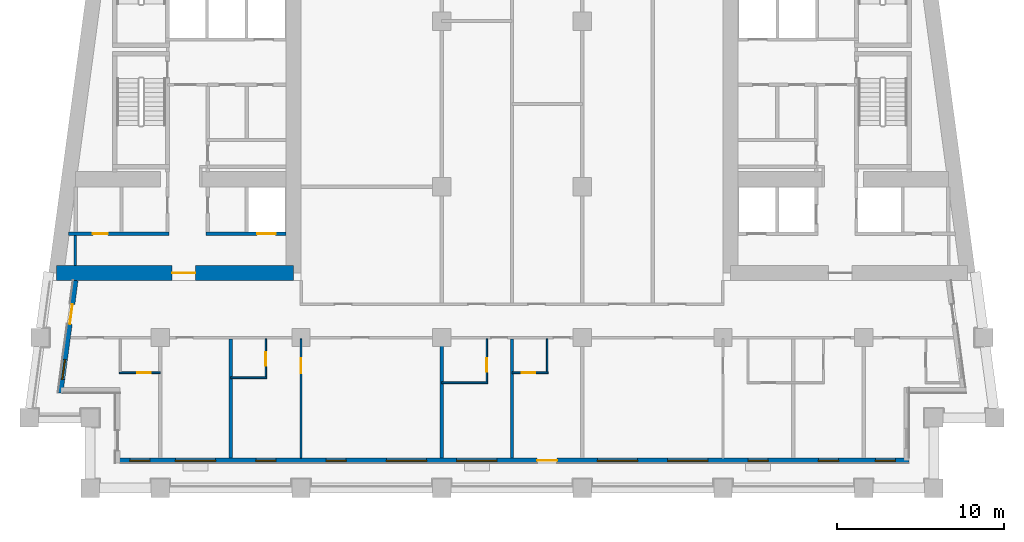
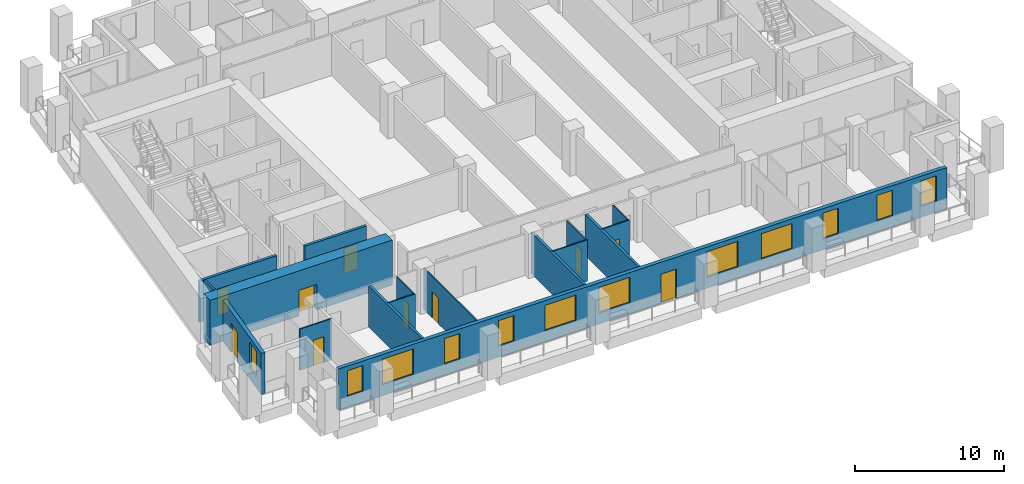
# One storey, part 2 of 12: 17 walls, 12 windows, 10 doors, 22 openings.
"""IFC4 building model written with IfcOpenShell, lengths in metres."""

from ifc_helpers import new_model, si_unit, direction, frame, frame_2d, origin, place, context, subcontext, project, spatial, rectangle, extrude, material, layer, layer_set, type_object, element, fill, save


model = new_model("IFC4")

# Units and contexts
model_context = context("Model", 3, precision=1e-05, world=origin(), true_north=direction((0.0, 1.0)))
body_context = subcontext(model_context, "Body", "Model", "MODEL_VIEW")
ifc_project = project(units=[si_unit("LENGTHUNIT", "METRE"), si_unit("AREAUNIT", "SQUARE_METRE"), si_unit("VOLUMEUNIT", "CUBIC_METRE"), si_unit("PLANEANGLEUNIT", "RADIAN"), si_unit("MASSUNIT", "GRAM", prefix="KILO")], contexts=[model_context])

# Site, building, storey
site_placement = place(None, origin())
site = spatial("IfcSite", under=ifc_project, at=site_placement, CompositionType="ELEMENT")
building_placement = place(site_placement, origin())
building = spatial("IfcBuilding", under=site, at=building_placement, Name="Candeia Pilgrim Tower and Theatre", CompositionType="ELEMENT")
storey_placement = place(building_placement, frame((0.0, 0.0, 162.60009765625)))
storey = spatial("IfcBuildingStorey", under=building, at=storey_placement, Name="L38", CompositionType="ELEMENT", Elevation=162.60009765625)

# Wall, opening, door
ifc_material_1 = material(Name="Concrete C60/75", Category="concrete")
ifc_layer_1 = layer(ifc_material_1, 0.89990234375)
ifc_layer_set_1 = layer_set([ifc_layer_1], Name="Core wall 900 C60/75")
wall_type_1 = type_object("IfcWallType", Name="Core wall 900 C60/75", PredefinedType="SHEAR", material=ifc_layer_set_1)
wall_1_placement = place(storey_placement, frame((100.35009765625, 110.85009765625, 0.0), z_axis=(0.0, 0.0, 1.0), x_axis=(-1.0, 0.0, 0.0)))
wall_1 = element("IfcWall", 1, at=wall_1_placement, inside=storey, type_object=wall_type_1, Name="Core wall W3", PredefinedType="SHEAR", context=body_context, shape_type="SweptSolid", body=[
    extrude(rectangle(XDim=14.166259765625, YDim=0.89990234375, at=frame_2d((7.0830078125, 0.0))), origin(), (0.0, 0.0, 1.0), 3.699951171875),
])
opening_1_placement = place(wall_1_placement, frame((5.854736328125, 0.0, 0.0)))
opening_1 = element("IfcOpeningElement", 2, at=opening_1_placement, cuts=wall_1, Name="Opening L38-D056", PredefinedType="OPENING", context=body_context, shape_type="SweptSolid", body=[
    extrude(rectangle(XDim=1.39990234375, YDim=2.10009765625, at=frame_2d((0.699951171875, 1.050048828125))), frame((0.0, 0.4599609375, 0.0), z_axis=(0.0, -1.0, 0.0), x_axis=(1.0, 0.0, 0.0)), (0.0, 0.0, 1.0), 0.919921875),
])
ifc_material_2 = material(Name="Steel fire door set", Category="steel")
door_type_1 = type_object("IfcDoorType", Name="D-1400-FD60", OperationType="NOTDEFINED", PredefinedType="DOOR", material=ifc_material_2)
door_1_placement = place(opening_1_placement, origin())
door_1 = element("IfcDoor", 3, at=door_1_placement, inside=storey, type_object=door_type_1, Name="Door L38-D056", OperationType="SINGLE_SWING_RIGHT", OverallHeight=2.10009765625, OverallWidth=1.39990234375, PredefinedType="DOOR", context=body_context, shape_type="SweptSolid", body=[
    extrude(rectangle(XDim=1.39990234375, YDim=2.10009765625, at=frame_2d((0.699951171875, 1.050048828125))), frame((0.0, 0.02490234375, 0.0), z_axis=(0.0, -1.0, 0.0), x_axis=(1.0, 0.0, 0.0)), (0.0, 0.0, 1.0), 0.050048828125),
])
fill(opening_1, door_1)

# Wall, openings, door, windows
ifc_material_3 = material(Name="Ceramic block masonry", Category="masonry")
ifc_layer_2 = layer(ifc_material_3, 0.300048828125)
ifc_layer_set_2 = layer_set([ifc_layer_2], Name="EW1 glazing-line wall 300")
wall_type_2 = type_object("IfcWallType", Name="EW1 glazing-line wall 300", PredefinedType="SOLIDWALL", material=ifc_layer_set_2)
wall_2_placement = place(storey_placement, frame((89.85009765625, 99.64990234375, 0.0), z_axis=(0.0, 0.0, 1.0), x_axis=(1.0, 0.0, 0.0)))
wall_2 = element("IfcWall", 4, at=wall_2_placement, inside=storey, type_object=wall_type_2, Name="External wall L38-0.0", PredefinedType="SOLIDWALL", context=body_context, shape_type="SweptSolid", body=[
    extrude(rectangle(XDim=47.25, YDim=0.300048828125, at=frame_2d((23.625, 0.0))), origin(), (0.0, 0.0, 1.0), 3.3798828125),
])
opening_2_placement = place(wall_2_placement, frame((0.72509765625, 0.0, 0.89990234375)))
opening_2 = element("IfcOpeningElement", 5, at=opening_2_placement, cuts=wall_2, Name="Opening W-B", PredefinedType="OPENING", context=body_context, shape_type="SweptSolid", body=[
    extrude(rectangle(XDim=1.199951171875, YDim=2.10009765625, at=frame_2d((0.60009765625, 1.050048828125))), frame((0.0, 0.16015625, 0.0), z_axis=(0.0, -1.0, 0.0), x_axis=(1.0, 0.0, 0.0)), (0.0, 0.0, 1.0), 0.320068359375),
])
opening_3_placement = place(wall_2_placement, frame((3.449951171875, 0.0, 0.89990234375)))
opening_3 = element("IfcOpeningElement", 6, at=opening_3_placement, cuts=wall_2, Name="Opening W-A", PredefinedType="OPENING", context=body_context, shape_type="SweptSolid", body=[
    extrude(rectangle(XDim=2.39990234375, YDim=2.10009765625, at=frame_2d((1.199951171875, 1.050048828125))), frame((0.0, 0.16015625, 0.0), z_axis=(0.0, -1.0, 0.0), x_axis=(1.0, 0.0, 0.0)), (0.0, 0.0, 1.0), 0.320068359375),
])
opening_4_placement = place(wall_2_placement, frame((8.25, 0.0, 0.89990234375)))
opening_4 = element("IfcOpeningElement", 7, at=opening_4_placement, cuts=wall_2, Name="Opening W-B", PredefinedType="OPENING", context=body_context, shape_type="SweptSolid", body=[
    extrude(rectangle(XDim=1.199951171875, YDim=2.10009765625, at=frame_2d((0.60009765625, 1.050048828125))), frame((0.0, 0.16015625, 0.0), z_axis=(0.0, -1.0, 0.0), x_axis=(1.0, 0.0, 0.0)), (0.0, 0.0, 1.0), 0.320068359375),
])
opening_5_placement = place(wall_2_placement, frame((12.449951171875, 0.0, 0.89990234375)))
opening_5 = element("IfcOpeningElement", 8, at=opening_5_placement, cuts=wall_2, Name="Opening W-B", PredefinedType="OPENING", context=body_context, shape_type="SweptSolid", body=[
    extrude(rectangle(XDim=1.199951171875, YDim=2.10009765625, at=frame_2d((0.60009765625, 1.050048828125))), frame((0.0, 0.16015625, 0.0), z_axis=(0.0, -1.0, 0.0), x_axis=(1.0, 0.0, 0.0)), (0.0, 0.0, 1.0), 0.320068359375),
])
opening_6_placement = place(wall_2_placement, frame((16.050048828125, 0.0, 0.89990234375)))
opening_6 = element("IfcOpeningElement", 9, at=opening_6_placement, cuts=wall_2, Name="Opening W-A", PredefinedType="OPENING", context=body_context, shape_type="SweptSolid", body=[
    extrude(rectangle(XDim=2.39990234375, YDim=2.10009765625, at=frame_2d((1.199951171875, 1.050048828125))), frame((0.0, 0.16015625, 0.0), z_axis=(0.0, -1.0, 0.0), x_axis=(1.0, 0.0, 0.0)), (0.0, 0.0, 1.0), 0.320068359375),
])
opening_7_placement = place(wall_2_placement, frame((20.25, 0.0, 0.89990234375)))
opening_7 = element("IfcOpeningElement", 10, at=opening_7_placement, cuts=wall_2, Name="Opening W-A", PredefinedType="OPENING", context=body_context, shape_type="SweptSolid", body=[
    extrude(rectangle(XDim=2.39990234375, YDim=2.10009765625, at=frame_2d((1.199951171875, 1.050048828125))), frame((0.0, 0.16015625, 0.0), z_axis=(0.0, -1.0, 0.0), x_axis=(1.0, 0.0, 0.0)), (0.0, 0.0, 1.0), 0.320068359375),
])
opening_8_placement = place(wall_2_placement, frame((25.050048828125, 0.0, 0.0)))
opening_8 = element("IfcOpeningElement", 11, at=opening_8_placement, cuts=wall_2, Name="Opening L38-ED364", PredefinedType="OPENING", context=body_context, shape_type="SweptSolid", body=[
    extrude(rectangle(XDim=1.199951171875, YDim=2.39990234375, at=frame_2d((0.60009765625, 1.199951171875))), frame((0.0, 0.16015625, 0.0), z_axis=(0.0, -1.0, 0.0), x_axis=(1.0, 0.0, 0.0)), (0.0, 0.0, 1.0), 0.320068359375),
])
opening_9_placement = place(wall_2_placement, frame((28.64990234375, 0.0, 0.89990234375)))
opening_9 = element("IfcOpeningElement", 12, at=opening_9_placement, cuts=wall_2, Name="Opening W-A", PredefinedType="OPENING", context=body_context, shape_type="SweptSolid", body=[
    extrude(rectangle(XDim=2.39990234375, YDim=2.10009765625, at=frame_2d((1.199951171875, 1.050048828125))), frame((0.0, 0.16015625, 0.0), z_axis=(0.0, -1.0, 0.0), x_axis=(1.0, 0.0, 0.0)), (0.0, 0.0, 1.0), 0.320068359375),
])
opening_10_placement = place(wall_2_placement, frame((32.85009765625, 0.0, 0.89990234375)))
opening_10 = element("IfcOpeningElement", 13, at=opening_10_placement, cuts=wall_2, Name="Opening W-A", PredefinedType="OPENING", context=body_context, shape_type="SweptSolid", body=[
    extrude(rectangle(XDim=2.39990234375, YDim=2.10009765625, at=frame_2d((1.199951171875, 1.050048828125))), frame((0.0, 0.16015625, 0.0), z_axis=(0.0, -1.0, 0.0), x_axis=(1.0, 0.0, 0.0)), (0.0, 0.0, 1.0), 0.320068359375),
])
opening_11_placement = place(wall_2_placement, frame((37.64990234375, 0.0, 0.89990234375)))
opening_11 = element("IfcOpeningElement", 14, at=opening_11_placement, cuts=wall_2, Name="Opening W-B", PredefinedType="OPENING", context=body_context, shape_type="SweptSolid", body=[
    extrude(rectangle(XDim=1.199951171875, YDim=2.10009765625, at=frame_2d((0.60009765625, 1.050048828125))), frame((0.0, 0.16015625, 0.0), z_axis=(0.0, -1.0, 0.0), x_axis=(1.0, 0.0, 0.0)), (0.0, 0.0, 1.0), 0.320068359375),
])
opening_12_placement = place(wall_2_placement, frame((41.85009765625, 0.0, 0.89990234375)))
opening_12 = element("IfcOpeningElement", 15, at=opening_12_placement, cuts=wall_2, Name="Opening W-B", PredefinedType="OPENING", context=body_context, shape_type="SweptSolid", body=[
    extrude(rectangle(XDim=1.199951171875, YDim=2.10009765625, at=frame_2d((0.60009765625, 1.050048828125))), frame((0.0, 0.16015625, 0.0), z_axis=(0.0, -1.0, 0.0), x_axis=(1.0, 0.0, 0.0)), (0.0, 0.0, 1.0), 0.320068359375),
])
opening_13_placement = place(wall_2_placement, frame((45.25, 0.0, 0.89990234375)))
opening_13 = element("IfcOpeningElement", 16, at=opening_13_placement, cuts=wall_2, Name="Opening W-B", PredefinedType="OPENING", context=body_context, shape_type="SweptSolid", body=[
    extrude(rectangle(XDim=1.199951171875, YDim=2.10009765625, at=frame_2d((0.60009765625, 1.050048828125))), frame((0.0, 0.16015625, 0.0), z_axis=(0.0, -1.0, 0.0), x_axis=(1.0, 0.0, 0.0)), (0.0, 0.0, 1.0), 0.320068359375),
])
ifc_material_4 = material(Name="Aluminium framed glazed door", Category="aluminium")
door_type_2 = type_object("IfcDoorType", Name="Loggia door 1200x2400", OperationType="DOUBLE_DOOR_SINGLE_SWING", PredefinedType="DOOR", material=ifc_material_4)
door_2_placement = place(opening_8_placement, origin())
door_2 = element("IfcDoor", 17, at=door_2_placement, inside=storey, type_object=door_type_2, Name="Loggia door L38-ED364", OperationType="DOUBLE_DOOR_SINGLE_SWING", OverallHeight=2.39990234375, OverallWidth=1.199951171875, PredefinedType="DOOR", context=body_context, shape_type="SweptSolid", body=[
    extrude(rectangle(XDim=1.199951171875, YDim=2.39990234375, at=frame_2d((0.60009765625, 1.199951171875))), frame((0.0, 0.02490234375, 0.0), z_axis=(0.0, -1.0, 0.0), x_axis=(1.0, 0.0, 0.0)), (0.0, 0.0, 1.0), 0.050048828125),
])
fill(opening_8, door_2)
ifc_material_5 = material(Name="Aluminium framed double glazing", Category="aluminium")
window_type_1 = type_object("IfcWindowType", Name="W-A window 2400x2100", PartitioningType="DOUBLE_PANEL_VERTICAL", PredefinedType="WINDOW", material=ifc_material_5)
window_1_placement = place(opening_3_placement, origin())
window_1 = element("IfcWindow", 18, at=window_1_placement, inside=storey, type_object=window_type_1, Name="Window W-A L38", OverallHeight=2.10009765625, OverallWidth=2.39990234375, PartitioningType="SINGLE_PANEL", PredefinedType="WINDOW", context=body_context, shape_type="SweptSolid", body=[
    extrude(rectangle(XDim=2.39990234375, YDim=2.10009765625, at=frame_2d((1.199951171875, 1.050048828125))), frame((0.0, 0.030029296875, 0.0), z_axis=(0.0, -1.0, 0.0), x_axis=(1.0, 0.0, 0.0)), (0.0, 0.0, 1.0), 0.06005859375),
])
fill(opening_3, window_1)
window_2_placement = place(opening_6_placement, origin())
window_2 = element("IfcWindow", 19, at=window_2_placement, inside=storey, type_object=window_type_1, Name="Window W-A L38", OverallHeight=2.10009765625, OverallWidth=2.39990234375, PartitioningType="SINGLE_PANEL", PredefinedType="WINDOW", context=body_context, shape_type="SweptSolid", body=[
    extrude(rectangle(XDim=2.39990234375, YDim=2.10009765625, at=frame_2d((1.199951171875, 1.050048828125))), frame((0.0, 0.030029296875, 0.0), z_axis=(0.0, -1.0, 0.0), x_axis=(1.0, 0.0, 0.0)), (0.0, 0.0, 1.0), 0.06005859375),
])
fill(opening_6, window_2)
window_3_placement = place(opening_7_placement, origin())
window_3 = element("IfcWindow", 20, at=window_3_placement, inside=storey, type_object=window_type_1, Name="Window W-A L38", OverallHeight=2.10009765625, OverallWidth=2.39990234375, PartitioningType="SINGLE_PANEL", PredefinedType="WINDOW", context=body_context, shape_type="SweptSolid", body=[
    extrude(rectangle(XDim=2.39990234375, YDim=2.10009765625, at=frame_2d((1.199951171875, 1.050048828125))), frame((0.0, 0.030029296875, 0.0), z_axis=(0.0, -1.0, 0.0), x_axis=(1.0, 0.0, 0.0)), (0.0, 0.0, 1.0), 0.06005859375),
])
fill(opening_7, window_3)
window_4_placement = place(opening_9_placement, origin())
window_4 = element("IfcWindow", 21, at=window_4_placement, inside=storey, type_object=window_type_1, Name="Window W-A L38", OverallHeight=2.10009765625, OverallWidth=2.39990234375, PartitioningType="SINGLE_PANEL", PredefinedType="WINDOW", context=body_context, shape_type="SweptSolid", body=[
    extrude(rectangle(XDim=2.39990234375, YDim=2.10009765625, at=frame_2d((1.199951171875, 1.050048828125))), frame((0.0, 0.030029296875, 0.0), z_axis=(0.0, -1.0, 0.0), x_axis=(1.0, 0.0, 0.0)), (0.0, 0.0, 1.0), 0.06005859375),
])
fill(opening_9, window_4)
window_5_placement = place(opening_10_placement, origin())
window_5 = element("IfcWindow", 22, at=window_5_placement, inside=storey, type_object=window_type_1, Name="Window W-A L38", OverallHeight=2.10009765625, OverallWidth=2.39990234375, PartitioningType="SINGLE_PANEL", PredefinedType="WINDOW", context=body_context, shape_type="SweptSolid", body=[
    extrude(rectangle(XDim=2.39990234375, YDim=2.10009765625, at=frame_2d((1.199951171875, 1.050048828125))), frame((0.0, 0.030029296875, 0.0), z_axis=(0.0, -1.0, 0.0), x_axis=(1.0, 0.0, 0.0)), (0.0, 0.0, 1.0), 0.06005859375),
])
fill(opening_10, window_5)
window_type_2 = type_object("IfcWindowType", Name="W-B window 1200x2100", PartitioningType="SINGLE_PANEL", PredefinedType="WINDOW", material=ifc_material_5)
window_6_placement = place(opening_2_placement, origin())
window_6 = element("IfcWindow", 23, at=window_6_placement, inside=storey, type_object=window_type_2, Name="Window W-B L38", OverallHeight=2.10009765625, OverallWidth=1.199951171875, PartitioningType="SINGLE_PANEL", PredefinedType="WINDOW", context=body_context, shape_type="SweptSolid", body=[
    extrude(rectangle(XDim=1.199951171875, YDim=2.10009765625, at=frame_2d((0.60009765625, 1.050048828125))), frame((0.0, 0.030029296875, 0.0), z_axis=(0.0, -1.0, 0.0), x_axis=(1.0, 0.0, 0.0)), (0.0, 0.0, 1.0), 0.06005859375),
])
fill(opening_2, window_6)
window_7_placement = place(opening_4_placement, origin())
window_7 = element("IfcWindow", 24, at=window_7_placement, inside=storey, type_object=window_type_2, Name="Window W-B L38", OverallHeight=2.10009765625, OverallWidth=1.199951171875, PartitioningType="SINGLE_PANEL", PredefinedType="WINDOW", context=body_context, shape_type="SweptSolid", body=[
    extrude(rectangle(XDim=1.199951171875, YDim=2.10009765625, at=frame_2d((0.60009765625, 1.050048828125))), frame((0.0, 0.030029296875, 0.0), z_axis=(0.0, -1.0, 0.0), x_axis=(1.0, 0.0, 0.0)), (0.0, 0.0, 1.0), 0.06005859375),
])
fill(opening_4, window_7)
window_8_placement = place(opening_5_placement, origin())
window_8 = element("IfcWindow", 25, at=window_8_placement, inside=storey, type_object=window_type_2, Name="Window W-B L38", OverallHeight=2.10009765625, OverallWidth=1.199951171875, PartitioningType="SINGLE_PANEL", PredefinedType="WINDOW", context=body_context, shape_type="SweptSolid", body=[
    extrude(rectangle(XDim=1.199951171875, YDim=2.10009765625, at=frame_2d((0.60009765625, 1.050048828125))), frame((0.0, 0.030029296875, 0.0), z_axis=(0.0, -1.0, 0.0), x_axis=(1.0, 0.0, 0.0)), (0.0, 0.0, 1.0), 0.06005859375),
])
fill(opening_5, window_8)
window_9_placement = place(opening_11_placement, origin())
window_9 = element("IfcWindow", 26, at=window_9_placement, inside=storey, type_object=window_type_2, Name="Window W-B L38", OverallHeight=2.10009765625, OverallWidth=1.199951171875, PartitioningType="SINGLE_PANEL", PredefinedType="WINDOW", context=body_context, shape_type="SweptSolid", body=[
    extrude(rectangle(XDim=1.199951171875, YDim=2.10009765625, at=frame_2d((0.60009765625, 1.050048828125))), frame((0.0, 0.030029296875, 0.0), z_axis=(0.0, -1.0, 0.0), x_axis=(1.0, 0.0, 0.0)), (0.0, 0.0, 1.0), 0.06005859375),
])
fill(opening_11, window_9)
window_10_placement = place(opening_12_placement, origin())
window_10 = element("IfcWindow", 27, at=window_10_placement, inside=storey, type_object=window_type_2, Name="Window W-B L38", OverallHeight=2.10009765625, OverallWidth=1.199951171875, PartitioningType="SINGLE_PANEL", PredefinedType="WINDOW", context=body_context, shape_type="SweptSolid", body=[
    extrude(rectangle(XDim=1.199951171875, YDim=2.10009765625, at=frame_2d((0.60009765625, 1.050048828125))), frame((0.0, 0.030029296875, 0.0), z_axis=(0.0, -1.0, 0.0), x_axis=(1.0, 0.0, 0.0)), (0.0, 0.0, 1.0), 0.06005859375),
])
fill(opening_12, window_10)
window_11_placement = place(opening_13_placement, origin())
window_11 = element("IfcWindow", 28, at=window_11_placement, inside=storey, type_object=window_type_2, Name="Window W-B L38", OverallHeight=2.10009765625, OverallWidth=1.199951171875, PartitioningType="SINGLE_PANEL", PredefinedType="WINDOW", context=body_context, shape_type="SweptSolid", body=[
    extrude(rectangle(XDim=1.199951171875, YDim=2.10009765625, at=frame_2d((0.60009765625, 1.050048828125))), frame((0.0, 0.030029296875, 0.0), z_axis=(0.0, -1.0, 0.0), x_axis=(1.0, 0.0, 0.0)), (0.0, 0.0, 1.0), 0.06005859375),
])
fill(opening_13, window_11)

# Wall, openings, door, window
wall_3_placement = place(storey_placement, frame((87.334228515625, 110.39990234375, 0.0), z_axis=(0.0, 0.0, 1.0), x_axis=(-0.133437175554, -0.991057273915, 0.0)))
wall_3 = element("IfcWall", 29, at=wall_3_placement, inside=storey, type_object=wall_type_2, Name="External wall L38-9.1", PredefinedType="SOLIDWALL", context=body_context, shape_type="SweptSolid", body=[
    extrude(rectangle(XDim=6.780517578125, YDim=0.300048828125, at=frame_2d((3.39013671875, 0.0))), origin(), (0.0, 0.0, 1.0), 3.3798828125),
])
opening_14_placement = place(wall_3_placement, frame((1.41796875, 0.0, 0.0)))
opening_14 = element("IfcOpeningElement", 30, at=opening_14_placement, cuts=wall_3, Name="Opening L38-ED371", PredefinedType="OPENING", context=body_context, shape_type="SweptSolid", body=[
    extrude(rectangle(XDim=1.199951171875, YDim=2.39990234375, at=frame_2d((0.60009765625, 1.199951171875))), frame((0.0, 0.16015625, 0.0), z_axis=(0.0, -1.0, 0.0), x_axis=(1.0, 0.0, 0.0)), (0.0, 0.0, 1.0), 0.320068359375),
])
opening_15_placement = place(wall_3_placement, frame((4.75830078125, 0.0, 0.89990234375)))
opening_15 = element("IfcOpeningElement", 31, at=opening_15_placement, cuts=wall_3, Name="Opening W-B", PredefinedType="OPENING", context=body_context, shape_type="SweptSolid", body=[
    extrude(rectangle(XDim=1.199951171875, YDim=2.10009765625, at=frame_2d((0.60009765625, 1.050048828125))), frame((0.0, 0.16015625, 0.0), z_axis=(0.0, -1.0, 0.0), x_axis=(1.0, 0.0, 0.0)), (0.0, 0.0, 1.0), 0.320068359375),
])
door_3_placement = place(opening_14_placement, origin())
door_3 = element("IfcDoor", 32, at=door_3_placement, inside=storey, type_object=door_type_2, Name="Loggia door L38-ED371", OperationType="DOUBLE_DOOR_SINGLE_SWING", OverallHeight=2.39990234375, OverallWidth=1.199951171875, PredefinedType="DOOR", context=body_context, shape_type="SweptSolid", body=[
    extrude(rectangle(XDim=1.199951171875, YDim=2.39990234375, at=frame_2d((0.60009765625, 1.199951171875))), frame((0.0, 0.02490234375, 0.0), z_axis=(0.0, -1.0, 0.0), x_axis=(1.0, 0.0, 0.0)), (0.0, 0.0, 1.0), 0.050048828125),
])
fill(opening_14, door_3)
window_12_placement = place(opening_15_placement, origin())
window_12 = element("IfcWindow", 33, at=window_12_placement, inside=storey, type_object=window_type_2, Name="Window W-B L38", OverallHeight=2.10009765625, OverallWidth=1.199951171875, PartitioningType="SINGLE_PANEL", PredefinedType="WINDOW", context=body_context, shape_type="SweptSolid", body=[
    extrude(rectangle(XDim=1.199951171875, YDim=2.10009765625, at=frame_2d((0.60009765625, 1.050048828125))), frame((0.0, 0.030029296875, 0.0), z_axis=(0.0, -1.0, 0.0), x_axis=(1.0, 0.0, 0.0)), (0.0, 0.0, 1.0), 0.06005859375),
])
fill(opening_15, window_12)

# Walls
ifc_material_6 = material(Name="Gypsum board partition on steel studs", Category="steel")
ifc_layer_3 = layer(ifc_material_6, 0.10009765625)
ifc_layer_set_3 = layer_set([ifc_layer_3], Name="PW-100 room partition")
wall_type_3 = type_object("IfcWallType", Name="PW-100 room partition", PredefinedType="PARTITIONING", material=ifc_layer_set_3)
wall_4_placement = place(storey_placement, frame((109.199951171875, 104.300048828125, 0.0), z_axis=(0.0, 0.0, 1.0), x_axis=(1.0, 0.0, 0.0)))
element("IfcWall", 34, at=wall_4_placement, inside=storey, type_object=wall_type_3, Name="Room partition L38-001", PredefinedType="PARTITIONING", context=body_context, shape_type="SweptSolid", body=[
    extrude(rectangle(XDim=2.75, YDim=0.10009765625, at=frame_2d((1.375, 0.0))), origin(), (0.0, 0.0, 1.0), 3.3798828125),
])
wall_5_placement = place(storey_placement, frame((96.60009765625, 104.60009765625, 0.0), z_axis=(0.0, 0.0, 1.0), x_axis=(1.0, 0.0, 0.0)))
element("IfcWall", 35, at=wall_5_placement, inside=storey, type_object=wall_type_3, Name="Room partition L38-004", PredefinedType="PARTITIONING", context=body_context, shape_type="SweptSolid", body=[
    extrude(rectangle(XDim=2.14990234375, YDim=0.10009765625, at=frame_2d((1.074951171875, 0.0))), origin(), (0.0, 0.0, 1.0), 3.3798828125),
])

# Wall, opening, door
wall_6_placement = place(storey_placement, frame((89.949951171875, 104.89990234375, 0.0), z_axis=(0.0, 0.0, 1.0), x_axis=(1.0, 0.0, 0.0)))
wall_6 = element("IfcWall", 36, at=wall_6_placement, inside=storey, type_object=wall_type_3, Name="Room partition L38-005", PredefinedType="PARTITIONING", context=body_context, shape_type="SweptSolid", body=[
    extrude(rectangle(XDim=2.449951171875, YDim=0.10009765625, at=frame_2d((1.22509765625, 0.0))), origin(), (0.0, 0.0, 1.0), 3.3798828125),
])
opening_16_placement = place(wall_6_placement, frame((1.074951171875, 0.0, 0.0)))
opening_16 = element("IfcOpeningElement", 37, at=opening_16_placement, cuts=wall_6, Name="Opening L38-D018", PredefinedType="OPENING", context=body_context, shape_type="SweptSolid", body=[
    extrude(rectangle(XDim=0.800048828125, YDim=2.10009765625, at=frame_2d((0.39990234375, 1.050048828125))), frame((0.0, 0.06005859375, 0.0), z_axis=(0.0, -1.0, 0.0), x_axis=(1.0, 0.0, 0.0)), (0.0, 0.0, 1.0), 0.1201171875),
])
ifc_material_7 = material(Name="Timber door leaf", Category="wood")
door_type_3 = type_object("IfcDoorType", Name="D-800", OperationType="NOTDEFINED", PredefinedType="DOOR", material=ifc_material_7)
door_4_placement = place(opening_16_placement, origin())
door_4 = element("IfcDoor", 38, at=door_4_placement, inside=storey, type_object=door_type_3, Name="Door L38-D018", OperationType="SINGLE_SWING_RIGHT", OverallHeight=2.10009765625, OverallWidth=0.800048828125, PredefinedType="DOOR", context=body_context, shape_type="SweptSolid", body=[
    extrude(rectangle(XDim=0.800048828125, YDim=2.10009765625, at=frame_2d((0.39990234375, 1.050048828125))), frame((0.0, 0.02490234375, 0.0), z_axis=(0.0, -1.0, 0.0), x_axis=(1.0, 0.0, 0.0)), (0.0, 0.0, 1.0), 0.050048828125),
])
fill(opening_16, door_4)

wall_7_placement = place(storey_placement, frame((113.39990234375, 104.89990234375, 0.0), z_axis=(0.0, 0.0, 1.0), x_axis=(1.0, 0.0, 0.0)))
wall_7 = element("IfcWall", 39, at=wall_7_placement, inside=storey, type_object=wall_type_3, Name="Room partition L38-006", PredefinedType="PARTITIONING", context=body_context, shape_type="SweptSolid", body=[
    extrude(rectangle(XDim=2.150146484375, YDim=0.10009765625, at=frame_2d((1.0751953125, 0.0))), origin(), (0.0, 0.0, 1.0), 3.3798828125),
])
opening_17_placement = place(wall_7_placement, frame((0.590087890625, 0.0, 0.0)))
opening_17 = element("IfcOpeningElement", 40, at=opening_17_placement, cuts=wall_7, Name="Opening L38-D026", PredefinedType="OPENING", context=body_context, shape_type="SweptSolid", body=[
    extrude(rectangle(XDim=0.800048828125, YDim=2.10009765625, at=frame_2d((0.39990234375, 1.050048828125))), frame((0.0, 0.06005859375, 0.0), z_axis=(0.0, -1.0, 0.0), x_axis=(1.0, 0.0, 0.0)), (0.0, 0.0, 1.0), 0.1201171875),
])
door_5_placement = place(opening_17_placement, origin())
door_5 = element("IfcDoor", 41, at=door_5_placement, inside=storey, type_object=door_type_3, Name="Door L38-D026", OperationType="SINGLE_SWING_RIGHT", OverallHeight=2.10009765625, OverallWidth=0.800048828125, PredefinedType="DOOR", context=body_context, shape_type="SweptSolid", body=[
    extrude(rectangle(XDim=0.800048828125, YDim=2.10009765625, at=frame_2d((0.39990234375, 1.050048828125))), frame((0.0, 0.02490234375, 0.0), z_axis=(0.0, -1.0, 0.0), x_axis=(1.0, 0.0, 0.0)), (0.0, 0.0, 1.0), 0.050048828125),
])
fill(opening_17, door_5)

wall_8_placement = place(storey_placement, frame((98.699951171875, 104.64990234375, 0.0), z_axis=(0.0, 0.0, 1.0), x_axis=(0.0, 1.0, 0.0)))
wall_8 = element("IfcWall", 42, at=wall_8_placement, inside=storey, type_object=wall_type_3, Name="Room partition L38-070", PredefinedType="PARTITIONING", context=body_context, shape_type="SweptSolid", body=[
    extrude(rectangle(XDim=2.275146484375, YDim=0.10009765625, at=frame_2d((1.1376953125, 0.0))), origin(), (0.0, 0.0, 1.0), 3.3798828125),
])
opening_18_placement = place(wall_8_placement, frame((0.659912109375, 0.0, 0.0)))
opening_18 = element("IfcOpeningElement", 43, at=opening_18_placement, cuts=wall_8, Name="Opening L38-D022", PredefinedType="OPENING", context=body_context, shape_type="SweptSolid", body=[
    extrude(rectangle(XDim=0.800048828125, YDim=2.10009765625, at=frame_2d((0.39990234375, 1.050048828125))), frame((0.0, 0.06005859375, 0.0), z_axis=(0.0, -1.0, 0.0), x_axis=(1.0, 0.0, 0.0)), (0.0, 0.0, 1.0), 0.1201171875),
])
door_6_placement = place(opening_18_placement, origin())
door_6 = element("IfcDoor", 44, at=door_6_placement, inside=storey, type_object=door_type_3, Name="Door L38-D022", OperationType="SINGLE_SWING_RIGHT", OverallHeight=2.10009765625, OverallWidth=0.800048828125, PredefinedType="DOOR", context=body_context, shape_type="SweptSolid", body=[
    extrude(rectangle(XDim=0.800048828125, YDim=2.10009765625, at=frame_2d((0.39990234375, 1.050048828125))), frame((0.0, 0.02490234375, 0.0), z_axis=(0.0, -1.0, 0.0), x_axis=(1.0, 0.0, 0.0)), (0.0, 0.0, 1.0), 0.050048828125),
])
fill(opening_18, door_6)

wall_9_placement = place(storey_placement, frame((100.800048828125, 99.7900390625, 0.0), z_axis=(0.0, 0.0, 1.0), x_axis=(0.0, 1.0, 0.0)))
wall_9 = element("IfcWall", 45, at=wall_9_placement, inside=storey, type_object=wall_type_3, Name="Room partition L38-071", PredefinedType="PARTITIONING", context=body_context, shape_type="SweptSolid", body=[
    extrude(rectangle(XDim=7.135009765625, YDim=0.10009765625, at=frame_2d((3.5673828125, 0.0))), origin(), (0.0, 0.0, 1.0), 3.3798828125),
])
opening_19_placement = place(wall_9_placement, frame((5.074951171875, 0.0, 0.0)))
opening_19 = element("IfcOpeningElement", 46, at=opening_19_placement, cuts=wall_9, Name="Opening L38-D021", PredefinedType="OPENING", context=body_context, shape_type="SweptSolid", body=[
    extrude(rectangle(XDim=0.89990234375, YDim=2.10009765625, at=frame_2d((0.449951171875, 1.050048828125))), frame((0.0, 0.06005859375, 0.0), z_axis=(0.0, -1.0, 0.0), x_axis=(1.0, 0.0, 0.0)), (0.0, 0.0, 1.0), 0.1201171875),
])
door_type_4 = type_object("IfcDoorType", Name="D-900", OperationType="NOTDEFINED", PredefinedType="DOOR", material=ifc_material_7)
door_7_placement = place(opening_19_placement, origin())
door_7 = element("IfcDoor", 47, at=door_7_placement, inside=storey, type_object=door_type_4, Name="Door L38-D021", OperationType="SINGLE_SWING_LEFT", OverallHeight=2.10009765625, OverallWidth=0.89990234375, PredefinedType="DOOR", context=body_context, shape_type="SweptSolid", body=[
    extrude(rectangle(XDim=0.89990234375, YDim=2.10009765625, at=frame_2d((0.449951171875, 1.050048828125))), frame((0.0, 0.02490234375, 0.0), z_axis=(0.0, -1.0, 0.0), x_axis=(1.0, 0.0, 0.0)), (0.0, 0.0, 1.0), 0.050048828125),
])
fill(opening_19, door_7)

wall_10_placement = place(storey_placement, frame((111.89990234375, 104.35009765625, 0.0), z_axis=(0.0, 0.0, 1.0), x_axis=(0.0, 1.0, 0.0)))
wall_10 = element("IfcWall", 48, at=wall_10_placement, inside=storey, type_object=wall_type_3, Name="Room partition L38-081", PredefinedType="PARTITIONING", context=body_context, shape_type="SweptSolid", body=[
    extrude(rectangle(XDim=2.574951171875, YDim=0.10009765625, at=frame_2d((1.28759765625, 0.0))), origin(), (0.0, 0.0, 1.0), 3.3798828125),
])
opening_20_placement = place(wall_10_placement, frame((0.60009765625, 0.0, 0.0)))
opening_20 = element("IfcOpeningElement", 49, at=opening_20_placement, cuts=wall_10, Name="Opening L38-D024", PredefinedType="OPENING", context=body_context, shape_type="SweptSolid", body=[
    extrude(rectangle(XDim=0.800048828125, YDim=2.10009765625, at=frame_2d((0.39990234375, 1.050048828125))), frame((0.0, 0.06005859375, 0.0), z_axis=(0.0, -1.0, 0.0), x_axis=(1.0, 0.0, 0.0)), (0.0, 0.0, 1.0), 0.1201171875),
])
door_8_placement = place(opening_20_placement, origin())
door_8 = element("IfcDoor", 50, at=door_8_placement, inside=storey, type_object=door_type_3, Name="Door L38-D024", OperationType="SINGLE_SWING_RIGHT", OverallHeight=2.10009765625, OverallWidth=0.800048828125, PredefinedType="DOOR", context=body_context, shape_type="SweptSolid", body=[
    extrude(rectangle(XDim=0.800048828125, YDim=2.10009765625, at=frame_2d((0.39990234375, 1.050048828125))), frame((0.0, 0.02490234375, 0.0), z_axis=(0.0, -1.0, 0.0), x_axis=(1.0, 0.0, 0.0)), (0.0, 0.0, 1.0), 0.050048828125),
])
fill(opening_20, door_8)

# Walls
wall_11_placement = place(storey_placement, frame((115.5, 104.949951171875, 0.0), z_axis=(0.0, 0.0, 1.0), x_axis=(0.0, 1.0, 0.0)))
element("IfcWall", 51, at=wall_11_placement, inside=storey, type_object=wall_type_3, Name="Room partition L38-084", PredefinedType="PARTITIONING", context=body_context, shape_type="SweptSolid", body=[
    extrude(rectangle(XDim=1.97509765625, YDim=0.10009765625, at=frame_2d((0.987548828125, 0.0))), origin(), (0.0, 0.0, 1.0), 3.3798828125),
])
ifc_layer_4 = layer(ifc_material_6, 0.14990234375)
ifc_layer_set_4 = layer_set([ifc_layer_4], Name="PW-150 lobby wall")
wall_type_4 = type_object("IfcWallType", Name="PW-150 lobby wall", PredefinedType="PARTITIONING", material=ifc_layer_set_4)
wall_12_placement = place(storey_placement, frame((87.327880859375, 111.300048828125, 0.0), z_axis=(0.0, 0.0, 1.0), x_axis=(0.0, 1.0, 0.0)))
element("IfcWall", 52, at=wall_12_placement, inside=storey, type_object=wall_type_4, Name="Lobby wall L38-049", PredefinedType="PARTITIONING", context=body_context, shape_type="SweptSolid", body=[
    extrude(rectangle(XDim=1.800048828125, YDim=0.14990234375, at=frame_2d((0.89990234375, 0.0))), origin(), (0.0, 0.0, 1.0), 3.3798828125),
])
ifc_layer_5 = layer(ifc_material_6, 0.199951171875)
ifc_layer_set_5 = layer_set([ifc_layer_5], Name="PW-200 party wall")
wall_type_5 = type_object("IfcWallType", Name="PW-200 party wall", PredefinedType="PARTITIONING", material=ifc_layer_set_5)
for number, where, z_axis, x_axis, name in (
    (53, (96.60009765625, 99.7900390625, 0.0), (0.0, 0.0, 1.0), (0.0, 1.0, 0.0), "Party wall L38-065"),
    (54, (109.199951171875, 99.7900390625, 0.0), (0.0, 0.0, 1.0), (0.0, 1.0, 0.0), "Party wall L38-078"),
    (55, (113.39990234375, 99.7900390625, 0.0), (0.0, 0.0, 1.0), (0.0, 1.0, 0.0), "Party wall L38-082"),
):
    element("IfcWall", number, at=place(storey_placement, frame(where, z_axis=z_axis, x_axis=x_axis)), inside=storey, type_object=wall_type_5, Name=name, PredefinedType="PARTITIONING", context=body_context, shape_type="SweptSolid", body=[
        extrude(rectangle(XDim=7.135009765625, YDim=0.199951171875, at=frame_2d((3.5673828125, 0.0))), origin(), (0.0, 0.0, 1.0), 3.3798828125),
    ])

# Wall, opening, door
ifc_material_8 = material(Name="Concrete C40/50", Category="concrete")
ifc_layer_6 = layer(ifc_material_8, 0.199951171875)
ifc_layer_set_6 = layer_set([ifc_layer_6], Name="SW-200 shaft wall")
wall_type_6 = type_object("IfcWallType", Name="SW-200 shaft wall", PredefinedType="PARTITIONING", material=ifc_layer_set_6)
wall_13_placement = place(storey_placement, frame((86.92431640625, 113.199951171875, 0.0), z_axis=(0.0, 0.0, 1.0), x_axis=(1.0, 0.0, 0.0)))
wall_13 = element("IfcWall", 56, at=wall_13_placement, inside=storey, type_object=wall_type_6, Name="Shaft wall L38-009", PredefinedType="PARTITIONING", context=body_context, shape_type="SweptSolid", body=[
    extrude(rectangle(XDim=6.002685546875, YDim=0.199951171875, at=frame_2d((3.00146484375, 0.0))), origin(), (0.0, 0.0, 1.0), 3.3798828125),
])
opening_21_placement = place(wall_13_placement, frame((1.443603515625, 0.0, 0.0)))
opening_21 = element("IfcOpeningElement", 57, at=opening_21_placement, cuts=wall_13, Name="Opening L38-D007", PredefinedType="OPENING", context=body_context, shape_type="SweptSolid", body=[
    extrude(rectangle(XDim=0.89990234375, YDim=2.10009765625, at=frame_2d((0.449951171875, 1.050048828125))), frame((0.0, 0.10986328125, 0.0), z_axis=(0.0, -1.0, 0.0), x_axis=(1.0, 0.0, 0.0)), (0.0, 0.0, 1.0), 0.219970703125),
])
door_type_5 = type_object("IfcDoorType", Name="D-900-FD60", OperationType="NOTDEFINED", PredefinedType="DOOR", material=ifc_material_2)
door_9_placement = place(opening_21_placement, origin())
door_9 = element("IfcDoor", 58, at=door_9_placement, inside=storey, type_object=door_type_5, Name="Door L38-D007", OperationType="SINGLE_SWING_RIGHT", OverallHeight=2.10009765625, OverallWidth=0.89990234375, PredefinedType="DOOR", context=body_context, shape_type="SweptSolid", body=[
    extrude(rectangle(XDim=0.89990234375, YDim=2.10009765625, at=frame_2d((0.449951171875, 1.050048828125))), frame((0.0, 0.02490234375, 0.0), z_axis=(0.0, -1.0, 0.0), x_axis=(1.0, 0.0, 0.0)), (0.0, 0.0, 1.0), 0.050048828125),
])
fill(opening_21, door_9)

wall_14_placement = place(storey_placement, frame((95.126953125, 113.199951171875, 0.0), z_axis=(0.0, 0.0, 1.0), x_axis=(1.0, 0.0, 0.0)))
wall_14 = element("IfcWall", 59, at=wall_14_placement, inside=storey, type_object=wall_type_6, Name="Shaft wall L38-010", PredefinedType="PARTITIONING", context=body_context, shape_type="SweptSolid", body=[
    extrude(rectangle(XDim=4.77294921875, YDim=0.199951171875, at=frame_2d((2.386474609375, 0.0))), origin(), (0.0, 0.0, 1.0), 3.3798828125),
])
opening_22_placement = place(wall_14_placement, frame((3.054931640625, 0.0, 0.0)))
opening_22 = element("IfcOpeningElement", 60, at=opening_22_placement, cuts=wall_14, Name="Opening L38-LD03", PredefinedType="OPENING", context=body_context, shape_type="SweptSolid", body=[
    extrude(rectangle(XDim=1.10009765625, YDim=2.10009765625, at=frame_2d((0.550048828125, 1.050048828125))), frame((0.0, 0.10986328125, 0.0), z_axis=(0.0, -1.0, 0.0), x_axis=(1.0, 0.0, 0.0)), (0.0, 0.0, 1.0), 0.219970703125),
])
ifc_material_9 = material(Name="Glazed aluminium landing door", Category="aluminium")
door_type_6 = type_object("IfcDoorType", Name="LD-1100-EI120", OperationType="SLIDING_TO_LEFT", PredefinedType="DOOR", material=ifc_material_9)
door_10_placement = place(opening_22_placement, origin())
door_10 = element("IfcDoor", 61, at=door_10_placement, inside=storey, type_object=door_type_6, Name="Landing door 03 L38", OperationType="SLIDING_TO_LEFT", OverallHeight=2.10009765625, OverallWidth=1.10009765625, PredefinedType="DOOR", context=body_context, shape_type="SweptSolid", body=[
    extrude(rectangle(XDim=1.10009765625, YDim=2.10009765625, at=frame_2d((0.550048828125, 1.050048828125))), frame((0.0, 0.02490234375, 0.0), z_axis=(0.0, -1.0, 0.0), x_axis=(1.0, 0.0, 0.0)), (0.0, 0.0, 1.0), 0.050048828125),
])
fill(opening_22, door_10)

save(model, "model.ifc")
